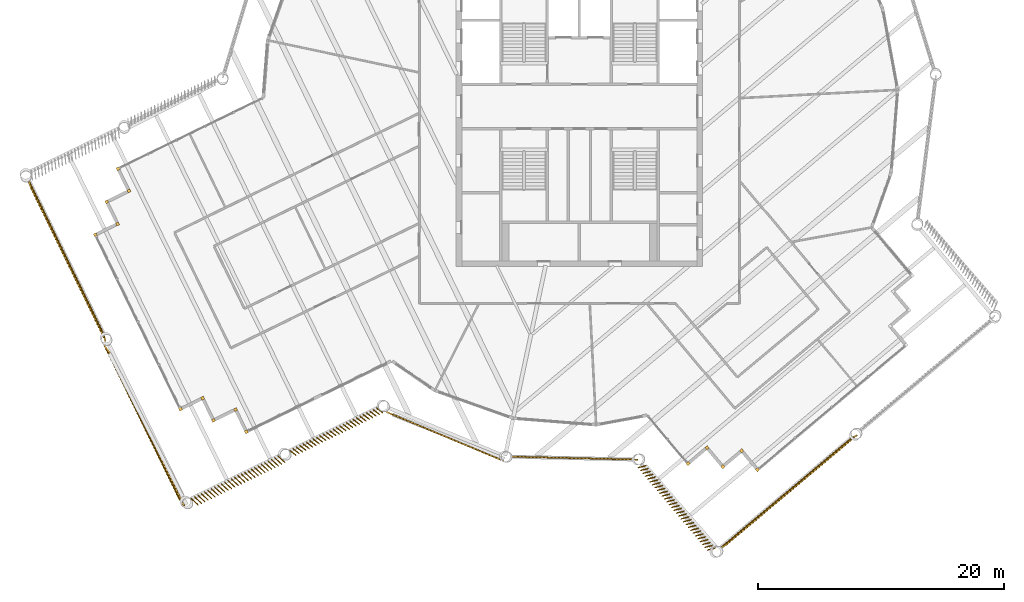
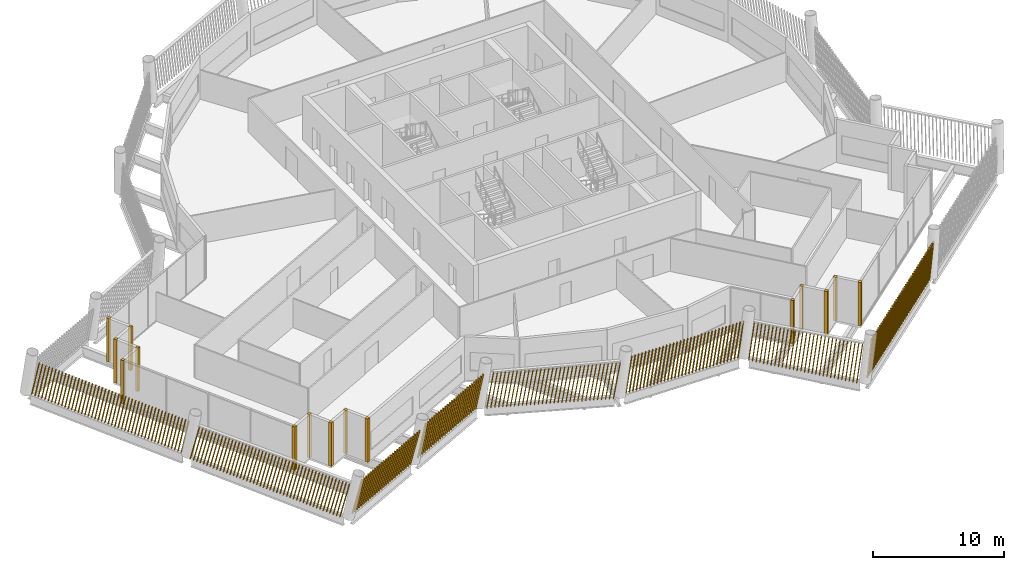
# One storey, part 27 of 31: 23 shading devices.
"""IFC4 building model written with IfcOpenShell, lengths in metres."""

from ifc_helpers import new_model, si_unit, direction, frame, frame_2d, origin, origin_2d, place, context, subcontext, project, spatial, rectangle, composite_profile, extrude, material, type_object, element, save


model = new_model("IFC4")

# Units and contexts
model_context = context("Model", 3, precision=1e-05, world=origin(), true_north=direction((0.0, 1.0)))
body_context = subcontext(model_context, "Body", "Model", "MODEL_VIEW")
ifc_project = project(units=[si_unit("LENGTHUNIT", "METRE"), si_unit("AREAUNIT", "SQUARE_METRE"), si_unit("VOLUMEUNIT", "CUBIC_METRE"), si_unit("PLANEANGLEUNIT", "RADIAN"), si_unit("MASSUNIT", "GRAM", prefix="KILO")], contexts=[model_context])

# Site, building, storey
site_placement = place(None, origin())
site = spatial("IfcSite", under=ifc_project, at=site_placement, CompositionType="ELEMENT")
building_placement = place(site_placement, origin())
building = spatial("IfcBuilding", under=site, at=building_placement, Name="Tarsis Ring Headquarters", CompositionType="ELEMENT")
storey_placement = place(building_placement, frame((0.0, 0.0, 390.199951171875)))
storey = spatial("IfcBuildingStorey", under=building, at=storey_placement, Name="L92", CompositionType="ELEMENT", Elevation=390.199951171875)

# Shading devices
ifc_material = material(Name="Terracotta baguette", Category="masonry")
shading_device_type_1 = type_object("IfcShadingDeviceType", Name="Terracotta baguette screen", PredefinedType="USERDEFINED", material=ifc_material)
shading_device_1_placement = place(storey_placement, frame((-5.53955078125, -28.42529296875, 0.0), z_axis=(0.0, 0.0, 1.0), x_axis=(0.999725171768, -0.022935665209, 0.0)))
element("IfcShadingDevice", 1, at=shading_device_1_placement, inside=storey, type_object=shading_device_type_1, Name="Baguette screen L92-00", ObjectType="Terracotta baguette screen", PredefinedType="USERDEFINED", context=body_context, shape_type="SweptSolid", body=[
    extrude(composite_profile([rectangle(XDim=0.06005859375, YDim=0.1201171875, at=frame_2d((0.030029296875, 0.0))), rectangle(XDim=0.06005859375, YDim=0.1201171875, at=frame_2d((0.33349609375, 0.0))), rectangle(XDim=0.06005859375, YDim=0.1201171875, at=frame_2d((0.636962890625, 0.0))), rectangle(XDim=0.06005859375, YDim=0.1201171875, at=frame_2d((0.9404296875, 0.0))), rectangle(XDim=0.06005859375, YDim=0.1201171875, at=frame_2d((1.243896484375, 0.0))), rectangle(XDim=0.06005859375, YDim=0.1201171875, at=frame_2d((1.54736328125, 0.0))), rectangle(XDim=0.06005859375, YDim=0.1201171875, at=frame_2d((1.85107421875, 0.0))), rectangle(XDim=0.06005859375, YDim=0.1201171875, at=frame_2d((2.154541015625, 0.0))), rectangle(XDim=0.06005859375, YDim=0.1201171875, at=frame_2d((2.4580078125, 0.0))), rectangle(XDim=0.06005859375, YDim=0.1201171875, at=frame_2d((2.761474609375, 0.0))), rectangle(XDim=0.06005859375, YDim=0.1201171875, at=frame_2d((3.06494140625, 0.0))), rectangle(XDim=0.06005859375, YDim=0.1201171875, at=frame_2d((3.368408203125, 0.0))), rectangle(XDim=0.06005859375, YDim=0.1201171875, at=frame_2d((3.671875, 0.0))), rectangle(XDim=0.06005859375, YDim=0.1201171875, at=frame_2d((3.975341796875, 0.0))), rectangle(XDim=0.06005859375, YDim=0.1201171875, at=frame_2d((4.27880859375, 0.0))), rectangle(XDim=0.06005859375, YDim=0.1201171875, at=frame_2d((4.582275390625, 0.0))), rectangle(XDim=0.06005859375, YDim=0.1201171875, at=frame_2d((4.8857421875, 0.0))), rectangle(XDim=0.06005859375, YDim=0.1201171875, at=frame_2d((5.189453125, 0.0))), rectangle(XDim=0.06005859375, YDim=0.1201171875, at=frame_2d((5.492919921875, 0.0))), rectangle(XDim=0.06005859375, YDim=0.1201171875, at=frame_2d((5.79638671875, 0.0))), rectangle(XDim=0.06005859375, YDim=0.1201171875, at=frame_2d((6.099853515625, 0.0))), rectangle(XDim=0.06005859375, YDim=0.1201171875, at=frame_2d((6.4033203125, 0.0))), rectangle(XDim=0.06005859375, YDim=0.1201171875, at=frame_2d((6.706787109375, 0.0))), rectangle(XDim=0.06005859375, YDim=0.1201171875, at=frame_2d((7.01025390625, 0.0))), rectangle(XDim=0.06005859375, YDim=0.1201171875, at=frame_2d((7.313720703125, 0.0))), rectangle(XDim=0.06005859375, YDim=0.1201171875, at=frame_2d((7.6171875, 0.0))), rectangle(XDim=0.06005859375, YDim=0.1201171875, at=frame_2d((7.920654296875, 0.0))), rectangle(XDim=0.06005859375, YDim=0.1201171875, at=frame_2d((8.224365234375, 0.0))), rectangle(XDim=0.06005859375, YDim=0.1201171875, at=frame_2d((8.52783203125, 0.0))), rectangle(XDim=0.06005859375, YDim=0.1201171875, at=frame_2d((8.831298828125, 0.0))), rectangle(XDim=0.06005859375, YDim=0.1201171875, at=frame_2d((9.134765625, 0.0))), rectangle(XDim=0.06005859375, YDim=0.1201171875, at=frame_2d((9.438232421875, 0.0))), rectangle(XDim=0.06005859375, YDim=0.1201171875, at=frame_2d((9.74169921875, 0.0)))]), origin(), (0.15599738943, 0.001413751671, 0.98775645571), 3.3212890625),
])
shading_device_2_placement = place(storey_placement, frame((4.763427734375, -29.284912109375, 0.0), z_axis=(0.0, 0.0, 1.0), x_axis=(0.64279178105, -0.766048304356, 0.0)))
element("IfcShadingDevice", 2, at=shading_device_2_placement, inside=storey, type_object=shading_device_type_1, Name="Baguette screen L92-01", ObjectType="Terracotta baguette screen", PredefinedType="USERDEFINED", context=body_context, shape_type="SweptSolid", body=[
    extrude(composite_profile([rectangle(XDim=0.06005859375, YDim=0.1201171875, at=frame_2d((0.030029296875, 0.0))), rectangle(XDim=0.06005859375, YDim=0.1201171875, at=frame_2d((0.33154296875, 0.0))), rectangle(XDim=0.06005859375, YDim=0.1201171875, at=frame_2d((0.633056640625, 0.0))), rectangle(XDim=0.06005859375, YDim=0.1201171875, at=frame_2d((0.9345703125, 0.0))), rectangle(XDim=0.06005859375, YDim=0.1201171875, at=frame_2d((1.236083984375, 0.0))), rectangle(XDim=0.06005859375, YDim=0.1201171875, at=frame_2d((1.53759765625, 0.0))), rectangle(XDim=0.06005859375, YDim=0.1201171875, at=frame_2d((1.839111328125, 0.0))), rectangle(XDim=0.06005859375, YDim=0.1201171875, at=frame_2d((2.140625, 0.0))), rectangle(XDim=0.06005859375, YDim=0.1201171875, at=frame_2d((2.442138671875, 0.0))), rectangle(XDim=0.06005859375, YDim=0.1201171875, at=frame_2d((2.74365234375, 0.0))), rectangle(XDim=0.06005859375, YDim=0.1201171875, at=frame_2d((3.045166015625, 0.0))), rectangle(XDim=0.06005859375, YDim=0.1201171875, at=frame_2d((3.3466796875, 0.0))), rectangle(XDim=0.06005859375, YDim=0.1201171875, at=frame_2d((3.648193359375, 0.0))), rectangle(XDim=0.06005859375, YDim=0.1201171875, at=frame_2d((3.94970703125, 0.0))), rectangle(XDim=0.06005859375, YDim=0.1201171875, at=frame_2d((4.251220703125, 0.0))), rectangle(XDim=0.06005859375, YDim=0.1201171875, at=frame_2d((4.552978515625, 0.0))), rectangle(XDim=0.06005859375, YDim=0.1201171875, at=frame_2d((4.8544921875, 0.0))), rectangle(XDim=0.06005859375, YDim=0.1201171875, at=frame_2d((5.156005859375, 0.0))), rectangle(XDim=0.06005859375, YDim=0.1201171875, at=frame_2d((5.45751953125, 0.0))), rectangle(XDim=0.06005859375, YDim=0.1201171875, at=frame_2d((5.759033203125, 0.0))), rectangle(XDim=0.06005859375, YDim=0.1201171875, at=frame_2d((6.060546875, 0.0))), rectangle(XDim=0.06005859375, YDim=0.1201171875, at=frame_2d((6.362060546875, 0.0))), rectangle(XDim=0.06005859375, YDim=0.1201171875, at=frame_2d((6.66357421875, 0.0))), rectangle(XDim=0.06005859375, YDim=0.1201171875, at=frame_2d((6.965087890625, 0.0))), rectangle(XDim=0.06005859375, YDim=0.1201171875, at=frame_2d((7.2666015625, 0.0))), rectangle(XDim=0.06005859375, YDim=0.1201171875, at=frame_2d((7.568115234375, 0.0))), rectangle(XDim=0.06005859375, YDim=0.1201171875, at=frame_2d((7.86962890625, 0.0))), rectangle(XDim=0.06005859375, YDim=0.1201171875, at=frame_2d((8.171142578125, 0.0))), rectangle(XDim=0.06005859375, YDim=0.1201171875, at=frame_2d((8.47265625, 0.0))), rectangle(XDim=0.06005859375, YDim=0.1201171875, at=frame_2d((8.774169921875, 0.0)))]), origin(), (0.081076052159, 0.163393041214, 0.983223976441), 3.33642578125),
])
shading_device_3_placement = place(storey_placement, frame((11.41455078125, -35.85009765625, 0.0), z_axis=(0.0, 0.0, 1.0), x_axis=(0.766050420168, 0.642777532065, 0.0)))
element("IfcShadingDevice", 3, at=shading_device_3_placement, inside=storey, type_object=shading_device_type_1, Name="Baguette screen L92-02", ObjectType="Terracotta baguette screen", PredefinedType="USERDEFINED", context=body_context, shape_type="SweptSolid", body=[
    extrude(composite_profile([rectangle(XDim=0.06005859375, YDim=0.1201171875, at=frame_2d((0.030029296875, 0.0))), rectangle(XDim=0.06005859375, YDim=0.1201171875, at=frame_2d((0.33544921875, 0.0))), rectangle(XDim=0.06005859375, YDim=0.1201171875, at=frame_2d((0.640625, 0.0))), rectangle(XDim=0.06005859375, YDim=0.1201171875, at=frame_2d((0.946044921875, 0.0))), rectangle(XDim=0.06005859375, YDim=0.1201171875, at=frame_2d((1.25146484375, 0.0))), rectangle(XDim=0.06005859375, YDim=0.1201171875, at=frame_2d((1.556640625, 0.0))), rectangle(XDim=0.06005859375, YDim=0.1201171875, at=frame_2d((1.862060546875, 0.0))), rectangle(XDim=0.06005859375, YDim=0.1201171875, at=frame_2d((2.16748046875, 0.0))), rectangle(XDim=0.06005859375, YDim=0.1201171875, at=frame_2d((2.47265625, 0.0))), rectangle(XDim=0.06005859375, YDim=0.1201171875, at=frame_2d((2.778076171875, 0.0))), rectangle(XDim=0.06005859375, YDim=0.1201171875, at=frame_2d((3.08349609375, 0.0))), rectangle(XDim=0.06005859375, YDim=0.1201171875, at=frame_2d((3.388671875, 0.0))), rectangle(XDim=0.06005859375, YDim=0.1201171875, at=frame_2d((3.694091796875, 0.0))), rectangle(XDim=0.06005859375, YDim=0.1201171875, at=frame_2d((3.99951171875, 0.0))), rectangle(XDim=0.06005859375, YDim=0.1201171875, at=frame_2d((4.3046875, 0.0))), rectangle(XDim=0.06005859375, YDim=0.1201171875, at=frame_2d((4.610107421875, 0.0))), rectangle(XDim=0.06005859375, YDim=0.1201171875, at=frame_2d((4.91552734375, 0.0))), rectangle(XDim=0.06005859375, YDim=0.1201171875, at=frame_2d((5.220703125, 0.0))), rectangle(XDim=0.06005859375, YDim=0.1201171875, at=frame_2d((5.526123046875, 0.0))), rectangle(XDim=0.06005859375, YDim=0.1201171875, at=frame_2d((5.83154296875, 0.0))), rectangle(XDim=0.06005859375, YDim=0.1201171875, at=frame_2d((6.13671875, 0.0))), rectangle(XDim=0.06005859375, YDim=0.1201171875, at=frame_2d((6.442138671875, 0.0))), rectangle(XDim=0.06005859375, YDim=0.1201171875, at=frame_2d((6.74755859375, 0.0))), rectangle(XDim=0.06005859375, YDim=0.1201171875, at=frame_2d((7.052734375, 0.0))), rectangle(XDim=0.06005859375, YDim=0.1201171875, at=frame_2d((7.358154296875, 0.0))), rectangle(XDim=0.06005859375, YDim=0.1201171875, at=frame_2d((7.66357421875, 0.0))), rectangle(XDim=0.06005859375, YDim=0.1201171875, at=frame_2d((7.96875, 0.0))), rectangle(XDim=0.06005859375, YDim=0.1201171875, at=frame_2d((8.274169921875, 0.0))), rectangle(XDim=0.06005859375, YDim=0.1201171875, at=frame_2d((8.57958984375, 0.0))), rectangle(XDim=0.06005859375, YDim=0.1201171875, at=frame_2d((8.884765625, 0.0))), rectangle(XDim=0.06005859375, YDim=0.1201171875, at=frame_2d((9.190185546875, 0.0))), rectangle(XDim=0.06005859375, YDim=0.1201171875, at=frame_2d((9.49560546875, 0.0))), rectangle(XDim=0.06005859375, YDim=0.1201171875, at=frame_2d((9.80078125, 0.0))), rectangle(XDim=0.06005859375, YDim=0.1201171875, at=frame_2d((10.106201171875, 0.0))), rectangle(XDim=0.06005859375, YDim=0.1201171875, at=frame_2d((10.41162109375, 0.0))), rectangle(XDim=0.06005859375, YDim=0.1201171875, at=frame_2d((10.716796875, 0.0))), rectangle(XDim=0.06005859375, YDim=0.1201171875, at=frame_2d((11.022216796875, 0.0))), rectangle(XDim=0.06005859375, YDim=0.1201171875, at=frame_2d((11.32763671875, 0.0))), rectangle(XDim=0.06005859375, YDim=0.1201171875, at=frame_2d((11.6328125, 0.0))), rectangle(XDim=0.06005859375, YDim=0.1201171875, at=frame_2d((11.938232421875, 0.0))), rectangle(XDim=0.06005859375, YDim=0.1201171875, at=frame_2d((12.24365234375, 0.0))), rectangle(XDim=0.06005859375, YDim=0.1201171875, at=frame_2d((12.548828125, 0.0))), rectangle(XDim=0.06005859375, YDim=0.1201171875, at=frame_2d((12.854248046875, 0.0))), rectangle(XDim=0.06005859375, YDim=0.1201171875, at=frame_2d((13.15966796875, 0.0))), rectangle(XDim=0.06005859375, YDim=0.1201171875, at=frame_2d((13.46484375, 0.0))), rectangle(XDim=0.06005859375, YDim=0.1201171875, at=frame_2d((13.770263671875, 0.0)))]), origin(), (0.189280233242, -0.038454902678, 0.981169819024), 3.343505859375),
])
shading_device_4_placement = place(storey_placement, frame((-44.737060546875, -5.909423828125, 0.0), z_axis=(0.0, 0.0, 1.0), x_axis=(0.438364646357, -0.898789937374, 0.0)))
element("IfcShadingDevice", 4, at=shading_device_4_placement, inside=storey, type_object=shading_device_type_1, Name="Baguette screen L92-15", ObjectType="Terracotta baguette screen", PredefinedType="USERDEFINED", context=body_context, shape_type="SweptSolid", body=[
    extrude(composite_profile([rectangle(XDim=0.06005859375, YDim=0.1201171875, at=frame_2d((0.030029296875, 0.0))), rectangle(XDim=0.06005859375, YDim=0.1201171875, at=frame_2d((0.33544921875, 0.0))), rectangle(XDim=0.06005859375, YDim=0.1201171875, at=frame_2d((0.640625, 0.0))), rectangle(XDim=0.06005859375, YDim=0.1201171875, at=frame_2d((0.946044921875, 0.0))), rectangle(XDim=0.06005859375, YDim=0.1201171875, at=frame_2d((1.25146484375, 0.0))), rectangle(XDim=0.06005859375, YDim=0.1201171875, at=frame_2d((1.556640625, 0.0))), rectangle(XDim=0.06005859375, YDim=0.1201171875, at=frame_2d((1.862060546875, 0.0))), rectangle(XDim=0.06005859375, YDim=0.1201171875, at=frame_2d((2.16748046875, 0.0))), rectangle(XDim=0.06005859375, YDim=0.1201171875, at=frame_2d((2.47265625, 0.0))), rectangle(XDim=0.06005859375, YDim=0.1201171875, at=frame_2d((2.778076171875, 0.0))), rectangle(XDim=0.06005859375, YDim=0.1201171875, at=frame_2d((3.08349609375, 0.0))), rectangle(XDim=0.06005859375, YDim=0.1201171875, at=frame_2d((3.388671875, 0.0))), rectangle(XDim=0.06005859375, YDim=0.1201171875, at=frame_2d((3.694091796875, 0.0))), rectangle(XDim=0.06005859375, YDim=0.1201171875, at=frame_2d((3.99951171875, 0.0))), rectangle(XDim=0.06005859375, YDim=0.1201171875, at=frame_2d((4.3046875, 0.0))), rectangle(XDim=0.06005859375, YDim=0.1201171875, at=frame_2d((4.610107421875, 0.0))), rectangle(XDim=0.06005859375, YDim=0.1201171875, at=frame_2d((4.91552734375, 0.0))), rectangle(XDim=0.06005859375, YDim=0.1201171875, at=frame_2d((5.220703125, 0.0))), rectangle(XDim=0.06005859375, YDim=0.1201171875, at=frame_2d((5.526123046875, 0.0))), rectangle(XDim=0.06005859375, YDim=0.1201171875, at=frame_2d((5.83154296875, 0.0))), rectangle(XDim=0.06005859375, YDim=0.1201171875, at=frame_2d((6.13671875, 0.0))), rectangle(XDim=0.06005859375, YDim=0.1201171875, at=frame_2d((6.442138671875, 0.0))), rectangle(XDim=0.06005859375, YDim=0.1201171875, at=frame_2d((6.74755859375, 0.0))), rectangle(XDim=0.06005859375, YDim=0.1201171875, at=frame_2d((7.052734375, 0.0))), rectangle(XDim=0.06005859375, YDim=0.1201171875, at=frame_2d((7.358154296875, 0.0))), rectangle(XDim=0.06005859375, YDim=0.1201171875, at=frame_2d((7.66357421875, 0.0))), rectangle(XDim=0.06005859375, YDim=0.1201171875, at=frame_2d((7.96875, 0.0))), rectangle(XDim=0.06005859375, YDim=0.1201171875, at=frame_2d((8.274169921875, 0.0))), rectangle(XDim=0.06005859375, YDim=0.1201171875, at=frame_2d((8.57958984375, 0.0))), rectangle(XDim=0.06005859375, YDim=0.1201171875, at=frame_2d((8.884765625, 0.0))), rectangle(XDim=0.06005859375, YDim=0.1201171875, at=frame_2d((9.190185546875, 0.0))), rectangle(XDim=0.06005859375, YDim=0.1201171875, at=frame_2d((9.49560546875, 0.0))), rectangle(XDim=0.06005859375, YDim=0.1201171875, at=frame_2d((9.80078125, 0.0))), rectangle(XDim=0.06005859375, YDim=0.1201171875, at=frame_2d((10.106201171875, 0.0))), rectangle(XDim=0.06005859375, YDim=0.1201171875, at=frame_2d((10.41162109375, 0.0))), rectangle(XDim=0.06005859375, YDim=0.1201171875, at=frame_2d((10.716796875, 0.0))), rectangle(XDim=0.06005859375, YDim=0.1201171875, at=frame_2d((11.022216796875, 0.0))), rectangle(XDim=0.06005859375, YDim=0.1201171875, at=frame_2d((11.32763671875, 0.0))), rectangle(XDim=0.06005859375, YDim=0.1201171875, at=frame_2d((11.6328125, 0.0))), rectangle(XDim=0.06005859375, YDim=0.1201171875, at=frame_2d((11.938232421875, 0.0))), rectangle(XDim=0.06005859375, YDim=0.1201171875, at=frame_2d((12.24365234375, 0.0))), rectangle(XDim=0.06005859375, YDim=0.1201171875, at=frame_2d((12.548828125, 0.0))), rectangle(XDim=0.06005859375, YDim=0.1201171875, at=frame_2d((12.854248046875, 0.0))), rectangle(XDim=0.06005859375, YDim=0.1201171875, at=frame_2d((13.15966796875, 0.0))), rectangle(XDim=0.06005859375, YDim=0.1201171875, at=frame_2d((13.46484375, 0.0))), rectangle(XDim=0.06005859375, YDim=0.1201171875, at=frame_2d((13.770263671875, 0.0)))]), origin(), (0.230607850031, -0.037718357082, 0.97231545552), 3.3740234375),
])
shading_device_5_placement = place(storey_placement, frame((-38.586181640625, -19.3759765625, 0.0), z_axis=(0.0, 0.0, 1.0), x_axis=(0.438364646357, -0.898789937374, 0.0)))
element("IfcShadingDevice", 5, at=shading_device_5_placement, inside=storey, type_object=shading_device_type_1, Name="Baguette screen L92-16", ObjectType="Terracotta baguette screen", PredefinedType="USERDEFINED", context=body_context, shape_type="SweptSolid", body=[
    extrude(composite_profile([rectangle(XDim=0.06005859375, YDim=0.1201171875, at=frame_2d((0.030029296875, 0.0))), rectangle(XDim=0.06005859375, YDim=0.1201171875, at=frame_2d((0.33544921875, 0.0))), rectangle(XDim=0.06005859375, YDim=0.1201171875, at=frame_2d((0.640625, 0.0))), rectangle(XDim=0.06005859375, YDim=0.1201171875, at=frame_2d((0.946044921875, 0.0))), rectangle(XDim=0.06005859375, YDim=0.1201171875, at=frame_2d((1.25146484375, 0.0))), rectangle(XDim=0.06005859375, YDim=0.1201171875, at=frame_2d((1.556640625, 0.0))), rectangle(XDim=0.06005859375, YDim=0.1201171875, at=frame_2d((1.862060546875, 0.0))), rectangle(XDim=0.06005859375, YDim=0.1201171875, at=frame_2d((2.16748046875, 0.0))), rectangle(XDim=0.06005859375, YDim=0.1201171875, at=frame_2d((2.47265625, 0.0))), rectangle(XDim=0.06005859375, YDim=0.1201171875, at=frame_2d((2.778076171875, 0.0))), rectangle(XDim=0.06005859375, YDim=0.1201171875, at=frame_2d((3.08349609375, 0.0))), rectangle(XDim=0.06005859375, YDim=0.1201171875, at=frame_2d((3.388671875, 0.0))), rectangle(XDim=0.06005859375, YDim=0.1201171875, at=frame_2d((3.694091796875, 0.0))), rectangle(XDim=0.06005859375, YDim=0.1201171875, at=frame_2d((3.99951171875, 0.0))), rectangle(XDim=0.06005859375, YDim=0.1201171875, at=frame_2d((4.3046875, 0.0))), rectangle(XDim=0.06005859375, YDim=0.1201171875, at=frame_2d((4.610107421875, 0.0))), rectangle(XDim=0.06005859375, YDim=0.1201171875, at=frame_2d((4.91552734375, 0.0))), rectangle(XDim=0.06005859375, YDim=0.1201171875, at=frame_2d((5.220703125, 0.0))), rectangle(XDim=0.06005859375, YDim=0.1201171875, at=frame_2d((5.526123046875, 0.0))), rectangle(XDim=0.06005859375, YDim=0.1201171875, at=frame_2d((5.83154296875, 0.0))), rectangle(XDim=0.06005859375, YDim=0.1201171875, at=frame_2d((6.13671875, 0.0))), rectangle(XDim=0.06005859375, YDim=0.1201171875, at=frame_2d((6.442138671875, 0.0))), rectangle(XDim=0.06005859375, YDim=0.1201171875, at=frame_2d((6.74755859375, 0.0))), rectangle(XDim=0.06005859375, YDim=0.1201171875, at=frame_2d((7.052734375, 0.0))), rectangle(XDim=0.06005859375, YDim=0.1201171875, at=frame_2d((7.358154296875, 0.0))), rectangle(XDim=0.06005859375, YDim=0.1201171875, at=frame_2d((7.66357421875, 0.0))), rectangle(XDim=0.06005859375, YDim=0.1201171875, at=frame_2d((7.96875, 0.0))), rectangle(XDim=0.06005859375, YDim=0.1201171875, at=frame_2d((8.274169921875, 0.0))), rectangle(XDim=0.06005859375, YDim=0.1201171875, at=frame_2d((8.57958984375, 0.0))), rectangle(XDim=0.06005859375, YDim=0.1201171875, at=frame_2d((8.884765625, 0.0))), rectangle(XDim=0.06005859375, YDim=0.1201171875, at=frame_2d((9.190185546875, 0.0))), rectangle(XDim=0.06005859375, YDim=0.1201171875, at=frame_2d((9.49560546875, 0.0))), rectangle(XDim=0.06005859375, YDim=0.1201171875, at=frame_2d((9.80078125, 0.0))), rectangle(XDim=0.06005859375, YDim=0.1201171875, at=frame_2d((10.106201171875, 0.0))), rectangle(XDim=0.06005859375, YDim=0.1201171875, at=frame_2d((10.41162109375, 0.0))), rectangle(XDim=0.06005859375, YDim=0.1201171875, at=frame_2d((10.716796875, 0.0))), rectangle(XDim=0.06005859375, YDim=0.1201171875, at=frame_2d((11.022216796875, 0.0))), rectangle(XDim=0.06005859375, YDim=0.1201171875, at=frame_2d((11.32763671875, 0.0))), rectangle(XDim=0.06005859375, YDim=0.1201171875, at=frame_2d((11.6328125, 0.0))), rectangle(XDim=0.06005859375, YDim=0.1201171875, at=frame_2d((11.938232421875, 0.0))), rectangle(XDim=0.06005859375, YDim=0.1201171875, at=frame_2d((12.24365234375, 0.0))), rectangle(XDim=0.06005859375, YDim=0.1201171875, at=frame_2d((12.548828125, 0.0))), rectangle(XDim=0.06005859375, YDim=0.1201171875, at=frame_2d((12.854248046875, 0.0))), rectangle(XDim=0.06005859375, YDim=0.1201171875, at=frame_2d((13.15966796875, 0.0))), rectangle(XDim=0.06005859375, YDim=0.1201171875, at=frame_2d((13.46484375, 0.0))), rectangle(XDim=0.06005859375, YDim=0.1201171875, at=frame_2d((13.770263671875, 0.0)))]), origin(), (0.231793945319, 0.041898639077, 0.971862166646), 3.37548828125),
])
shading_device_6_placement = place(storey_placement, frame((-31.531005859375, -31.84521484375, 0.0), z_axis=(0.0, 0.0, 1.0), x_axis=(0.898785800352, 0.438378595483, 0.0)))
element("IfcShadingDevice", 6, at=shading_device_6_placement, inside=storey, type_object=shading_device_type_1, Name="Baguette screen L92-17", ObjectType="Terracotta baguette screen", PredefinedType="USERDEFINED", context=body_context, shape_type="SweptSolid", body=[
    extrude(composite_profile([rectangle(XDim=0.06005859375, YDim=0.1201171875, at=frame_2d((0.030029296875, 0.0))), rectangle(XDim=0.06005859375, YDim=0.1201171875, at=frame_2d((0.33154296875, 0.0))), rectangle(XDim=0.06005859375, YDim=0.1201171875, at=frame_2d((0.63330078125, 0.0))), rectangle(XDim=0.06005859375, YDim=0.1201171875, at=frame_2d((0.934814453125, 0.0))), rectangle(XDim=0.06005859375, YDim=0.1201171875, at=frame_2d((1.236572265625, 0.0))), rectangle(XDim=0.06005859375, YDim=0.1201171875, at=frame_2d((1.5380859375, 0.0))), rectangle(XDim=0.06005859375, YDim=0.1201171875, at=frame_2d((1.83984375, 0.0))), rectangle(XDim=0.06005859375, YDim=0.1201171875, at=frame_2d((2.141357421875, 0.0))), rectangle(XDim=0.06005859375, YDim=0.1201171875, at=frame_2d((2.443115234375, 0.0))), rectangle(XDim=0.06005859375, YDim=0.1201171875, at=frame_2d((2.74462890625, 0.0))), rectangle(XDim=0.06005859375, YDim=0.1201171875, at=frame_2d((3.04638671875, 0.0))), rectangle(XDim=0.06005859375, YDim=0.1201171875, at=frame_2d((3.347900390625, 0.0))), rectangle(XDim=0.06005859375, YDim=0.1201171875, at=frame_2d((3.649658203125, 0.0))), rectangle(XDim=0.06005859375, YDim=0.1201171875, at=frame_2d((3.951171875, 0.0))), rectangle(XDim=0.06005859375, YDim=0.1201171875, at=frame_2d((4.252685546875, 0.0))), rectangle(XDim=0.06005859375, YDim=0.1201171875, at=frame_2d((4.554443359375, 0.0))), rectangle(XDim=0.06005859375, YDim=0.1201171875, at=frame_2d((4.85595703125, 0.0))), rectangle(XDim=0.06005859375, YDim=0.1201171875, at=frame_2d((5.15771484375, 0.0))), rectangle(XDim=0.06005859375, YDim=0.1201171875, at=frame_2d((5.459228515625, 0.0))), rectangle(XDim=0.06005859375, YDim=0.1201171875, at=frame_2d((5.760986328125, 0.0))), rectangle(XDim=0.06005859375, YDim=0.1201171875, at=frame_2d((6.0625, 0.0))), rectangle(XDim=0.06005859375, YDim=0.1201171875, at=frame_2d((6.3642578125, 0.0))), rectangle(XDim=0.06005859375, YDim=0.1201171875, at=frame_2d((6.665771484375, 0.0))), rectangle(XDim=0.06005859375, YDim=0.1201171875, at=frame_2d((6.967529296875, 0.0))), rectangle(XDim=0.06005859375, YDim=0.1201171875, at=frame_2d((7.26904296875, 0.0))), rectangle(XDim=0.06005859375, YDim=0.1201171875, at=frame_2d((7.57080078125, 0.0))), rectangle(XDim=0.06005859375, YDim=0.1201171875, at=frame_2d((7.872314453125, 0.0)))]), origin(), (0.081721607724, -0.2061682994, 0.975098052071), 3.3642578125),
])
shading_device_7_placement = place(storey_placement, frame((-23.52978515625, -27.94287109375, 0.0), z_axis=(0.0, 0.0, 1.0), x_axis=(0.898788927336, 0.438365051903, 0.0)))
element("IfcShadingDevice", 7, at=shading_device_7_placement, inside=storey, type_object=shading_device_type_1, Name="Baguette screen L92-18", ObjectType="Terracotta baguette screen", PredefinedType="USERDEFINED", context=body_context, shape_type="SweptSolid", body=[
    extrude(composite_profile([rectangle(XDim=0.06005859375, YDim=0.1201171875, at=frame_2d((0.030029296875, 0.0))), rectangle(XDim=0.06005859375, YDim=0.1201171875, at=frame_2d((0.33154296875, 0.0))), rectangle(XDim=0.06005859375, YDim=0.1201171875, at=frame_2d((0.63330078125, 0.0))), rectangle(XDim=0.06005859375, YDim=0.1201171875, at=frame_2d((0.934814453125, 0.0))), rectangle(XDim=0.06005859375, YDim=0.1201171875, at=frame_2d((1.236572265625, 0.0))), rectangle(XDim=0.06005859375, YDim=0.1201171875, at=frame_2d((1.5380859375, 0.0))), rectangle(XDim=0.06005859375, YDim=0.1201171875, at=frame_2d((1.83984375, 0.0))), rectangle(XDim=0.06005859375, YDim=0.1201171875, at=frame_2d((2.141357421875, 0.0))), rectangle(XDim=0.06005859375, YDim=0.1201171875, at=frame_2d((2.443115234375, 0.0))), rectangle(XDim=0.06005859375, YDim=0.1201171875, at=frame_2d((2.74462890625, 0.0))), rectangle(XDim=0.06005859375, YDim=0.1201171875, at=frame_2d((3.04638671875, 0.0))), rectangle(XDim=0.06005859375, YDim=0.1201171875, at=frame_2d((3.347900390625, 0.0))), rectangle(XDim=0.06005859375, YDim=0.1201171875, at=frame_2d((3.649658203125, 0.0))), rectangle(XDim=0.06005859375, YDim=0.1201171875, at=frame_2d((3.951171875, 0.0))), rectangle(XDim=0.06005859375, YDim=0.1201171875, at=frame_2d((4.252685546875, 0.0))), rectangle(XDim=0.06005859375, YDim=0.1201171875, at=frame_2d((4.554443359375, 0.0))), rectangle(XDim=0.06005859375, YDim=0.1201171875, at=frame_2d((4.85595703125, 0.0))), rectangle(XDim=0.06005859375, YDim=0.1201171875, at=frame_2d((5.15771484375, 0.0))), rectangle(XDim=0.06005859375, YDim=0.1201171875, at=frame_2d((5.459228515625, 0.0))), rectangle(XDim=0.06005859375, YDim=0.1201171875, at=frame_2d((5.760986328125, 0.0))), rectangle(XDim=0.06005859375, YDim=0.1201171875, at=frame_2d((6.0625, 0.0))), rectangle(XDim=0.06005859375, YDim=0.1201171875, at=frame_2d((6.3642578125, 0.0))), rectangle(XDim=0.06005859375, YDim=0.1201171875, at=frame_2d((6.665771484375, 0.0))), rectangle(XDim=0.06005859375, YDim=0.1201171875, at=frame_2d((6.967529296875, 0.0))), rectangle(XDim=0.06005859375, YDim=0.1201171875, at=frame_2d((7.26904296875, 0.0))), rectangle(XDim=0.06005859375, YDim=0.1201171875, at=frame_2d((7.57080078125, 0.0))), rectangle(XDim=0.06005859375, YDim=0.1201171875, at=frame_2d((7.872314453125, 0.0)))]), origin(), (0.082011665543, -0.159546764959, 0.983777879659), 3.334716796875),
])
shading_device_8_placement = place(storey_placement, frame((-15.6611328125, -24.79833984375, 0.0), z_axis=(0.0, 0.0, 1.0), x_axis=(0.922646412153, -0.385668598841, 0.0)))
element("IfcShadingDevice", 8, at=shading_device_8_placement, inside=storey, type_object=shading_device_type_1, Name="Baguette screen L92-19", ObjectType="Terracotta baguette screen", PredefinedType="USERDEFINED", context=body_context, shape_type="SweptSolid", body=[
    extrude(composite_profile([rectangle(XDim=0.06005859375, YDim=0.1201171875, at=frame_2d((0.030029296875, 0.0))), rectangle(XDim=0.06005859375, YDim=0.1201171875, at=frame_2d((0.33349609375, 0.0))), rectangle(XDim=0.06005859375, YDim=0.1201171875, at=frame_2d((0.636962890625, 0.0))), rectangle(XDim=0.06005859375, YDim=0.1201171875, at=frame_2d((0.9404296875, 0.0))), rectangle(XDim=0.06005859375, YDim=0.1201171875, at=frame_2d((1.243896484375, 0.0))), rectangle(XDim=0.06005859375, YDim=0.1201171875, at=frame_2d((1.54736328125, 0.0))), rectangle(XDim=0.06005859375, YDim=0.1201171875, at=frame_2d((1.850830078125, 0.0))), rectangle(XDim=0.06005859375, YDim=0.1201171875, at=frame_2d((2.154296875, 0.0))), rectangle(XDim=0.06005859375, YDim=0.1201171875, at=frame_2d((2.4580078125, 0.0))), rectangle(XDim=0.06005859375, YDim=0.1201171875, at=frame_2d((2.761474609375, 0.0))), rectangle(XDim=0.06005859375, YDim=0.1201171875, at=frame_2d((3.06494140625, 0.0))), rectangle(XDim=0.06005859375, YDim=0.1201171875, at=frame_2d((3.368408203125, 0.0))), rectangle(XDim=0.06005859375, YDim=0.1201171875, at=frame_2d((3.671875, 0.0))), rectangle(XDim=0.06005859375, YDim=0.1201171875, at=frame_2d((3.975341796875, 0.0))), rectangle(XDim=0.06005859375, YDim=0.1201171875, at=frame_2d((4.27880859375, 0.0))), rectangle(XDim=0.06005859375, YDim=0.1201171875, at=frame_2d((4.582275390625, 0.0))), rectangle(XDim=0.06005859375, YDim=0.1201171875, at=frame_2d((4.8857421875, 0.0))), rectangle(XDim=0.06005859375, YDim=0.1201171875, at=frame_2d((5.189208984375, 0.0))), rectangle(XDim=0.06005859375, YDim=0.1201171875, at=frame_2d((5.49267578125, 0.0))), rectangle(XDim=0.06005859375, YDim=0.1201171875, at=frame_2d((5.796142578125, 0.0))), rectangle(XDim=0.06005859375, YDim=0.1201171875, at=frame_2d((6.099609375, 0.0))), rectangle(XDim=0.06005859375, YDim=0.1201171875, at=frame_2d((6.403076171875, 0.0))), rectangle(XDim=0.06005859375, YDim=0.1201171875, at=frame_2d((6.70654296875, 0.0))), rectangle(XDim=0.06005859375, YDim=0.1201171875, at=frame_2d((7.010009765625, 0.0))), rectangle(XDim=0.06005859375, YDim=0.1201171875, at=frame_2d((7.3134765625, 0.0))), rectangle(XDim=0.06005859375, YDim=0.1201171875, at=frame_2d((7.6171875, 0.0))), rectangle(XDim=0.06005859375, YDim=0.1201171875, at=frame_2d((7.920654296875, 0.0))), rectangle(XDim=0.06005859375, YDim=0.1201171875, at=frame_2d((8.22412109375, 0.0))), rectangle(XDim=0.06005859375, YDim=0.1201171875, at=frame_2d((8.527587890625, 0.0))), rectangle(XDim=0.06005859375, YDim=0.1201171875, at=frame_2d((8.8310546875, 0.0))), rectangle(XDim=0.06005859375, YDim=0.1201171875, at=frame_2d((9.134521484375, 0.0))), rectangle(XDim=0.06005859375, YDim=0.1201171875, at=frame_2d((9.43798828125, 0.0))), rectangle(XDim=0.06005859375, YDim=0.1201171875, at=frame_2d((9.741455078125, 0.0)))]), origin(), (0.15799903623, 0.001434117403, 0.987438224831), 3.322265625),
])
shading_device_type_2 = type_object("IfcShadingDeviceType", Name="Terracotta corner baguette 250x250", PredefinedType="USERDEFINED", material=ifc_material)
for number, where, z_axis, x_axis, name in (
    (9, (-27.03857421875, -26.399658203125, 0.0), (0.0, 0.0, 1.0), (0.43837144484, -0.89879390093, 0.0), "Corner baguette L92-01"),
    (10, (8.821044921875, -28.986572265625, 0.0), (0.0, 0.0, 1.0), (0.642787582947, -0.766044465556, 0.0), "Corner baguette L92-07"),
    (11, (10.35302734375, -27.700927734375, 0.0), (0.0, 0.0, 1.0), (0.766044768463, 0.642787221957, 0.0), "Corner baguette L92-08"),
    (12, (11.638671875, -29.233154296875, 0.0), (0.0, 0.0, 1.0), (0.642787810236, -0.766044274838, 0.0), "Corner baguette L92-09"),
    (13, (13.170654296875, -27.947509765625, 0.0), (0.0, 0.0, 1.0), (0.766044274838, 0.642787810236, 0.0), "Corner baguette L92-10"),
    (14, (14.456298828125, -29.479736328125, 0.0), (0.0, 0.0, 1.0), (0.642787516097, -0.76604452165, 0.0), "Corner baguette L92-11"),
    (15, (-37.449951171875, -5.053466796875, 0.0), (0.0, 0.0, 1.0), (-0.898794046299, -0.438371146789, 0.0), "Corner baguette L92-32"),
    (16, (-36.5732421875, -6.85107421875, 0.0), (0.0, 0.0, 1.0), (0.43837144484, -0.89879390093, 0.0), "Corner baguette L92-33"),
    (17, (-38.370849609375, -7.727783203125, 0.0), (0.0, 0.0, 1.0), (-0.89879390093, -0.43837144484, 0.0), "Corner baguette L92-34"),
    (18, (-37.493896484375, -9.525390625, 0.0), (0.0, 0.0, 1.0), (0.43837164877, -0.898793801466, 0.0), "Corner baguette L92-35"),
    (19, (-39.29150390625, -10.402099609375, 0.0), (0.0, 0.0, 1.0), (-0.898793992742, -0.438371256597, 0.0), "Corner baguette L92-36"),
    (20, (-32.38720703125, -24.55810546875, 0.0), (0.0, 0.0, 1.0), (0.43837119385, -0.898794023346, 0.0), "Corner baguette L92-37"),
    (21, (-30.589599609375, -23.681396484375, 0.0), (0.0, 0.0, 1.0), (0.898794000393, 0.438371240911, 0.0), "Corner baguette L92-38"),
    (22, (-29.712890625, -25.47900390625, 0.0), (0.0, 0.0, 1.0), (0.43837144484, -0.89879390093, 0.0), "Corner baguette L92-39"),
    (23, (-27.915283203125, -24.60205078125, 0.0), (0.0, 0.0, 1.0), (0.898794092205, 0.438371052668, 0.0), "Corner baguette L92-40"),
):
    element("IfcShadingDevice", number, at=place(storey_placement, frame(where, z_axis=z_axis, x_axis=x_axis)), inside=storey, type_object=shading_device_type_2, Name=name, ObjectType="Terracotta corner baguette", PredefinedType="USERDEFINED", context=body_context, shape_type="SweptSolid", body=[
        extrude(rectangle(XDim=0.25, YDim=0.25, at=origin_2d()), origin(), (0.0, 0.0, 1.0), 4.0400390625),
    ])

save(model, "model.ifc")
